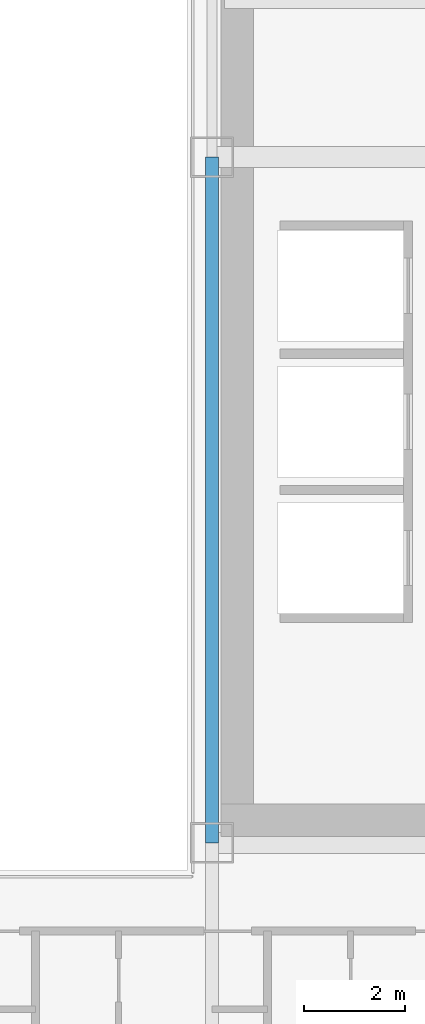
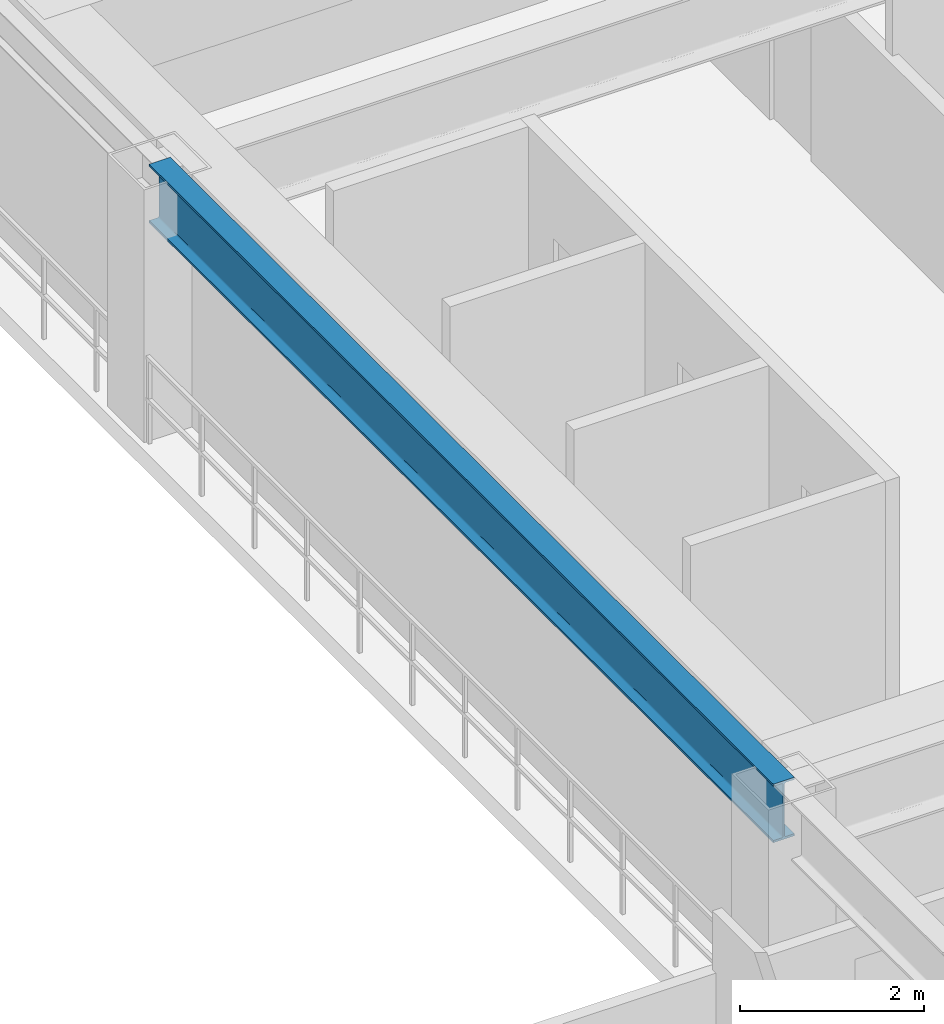
# One storey, part 12 of 36: 1 beam.
"""IFC4 building model written with IfcOpenShell, lengths in metres."""

from ifc_helpers import new_model, si_unit, direction, frame, origin, origin_2d, place, context, subcontext, project, spatial, i_section, extrude, source, transform, mapped, material, material_profile, profile_set, type_object, element, save


model = new_model("IFC4")

# Units and contexts
model_context = context("Model", 3, precision=1e-05, world=origin(), true_north=direction((0.0, 1.0)))
body_context = subcontext(model_context, "Body", "Model", "MODEL_VIEW")
ifc_project = project(units=[si_unit("LENGTHUNIT", "METRE"), si_unit("AREAUNIT", "SQUARE_METRE"), si_unit("VOLUMEUNIT", "CUBIC_METRE"), si_unit("PLANEANGLEUNIT", "RADIAN"), si_unit("MASSUNIT", "GRAM", prefix="KILO")], contexts=[model_context])

# Site, building, storey
site_placement = place(None, origin())
site = spatial("IfcSite", under=ifc_project, at=site_placement, CompositionType="ELEMENT")
building_placement = place(site_placement, origin())
building = spatial("IfcBuilding", under=site, at=building_placement, Name="Ocotamira Hotel", CompositionType="ELEMENT")
storey_placement = place(building_placement, frame((0.0, 0.0, 97.199951171875)))
storey = spatial("IfcBuildingStorey", under=building, at=storey_placement, Name="L23", CompositionType="ELEMENT", Elevation=97.199951171875)

# Beam
ifc_material = material(Name="Steel ASTM A992 Grade 50", Category="steel")
ifc_material_profile = material_profile(ifc_material, i_section(OverallWidth=0.26611328125, OverallDepth=0.779052734375, WebThickness=0.0166015625, FlangeThickness=0.030029296875, FilletRadius=0.01806640625, at=origin_2d()), Name="W30X148")
ifc_profile_set = profile_set([ifc_material_profile], Name="Steel ASTM A992 Grade 50")
beam_type = type_object("IfcBeamType", Name="BM-GIRD-W30X148", PredefinedType="BEAM", material=ifc_profile_set)
shared_shape = source(origin(), body_context, "Body", "SweptSolid", [
    extrude(i_section(OverallWidth=0.26611328125, OverallDepth=0.779052734375, WebThickness=0.0166015625, FlangeThickness=0.030029296875, FilletRadius=0.01806640625, at=origin_2d()), origin(), (0.0, 0.0, 1.0), 13.599853515625),
])
beam_placement = place(storey_placement, frame((40.5, 14.550048828125, 2.970458984375), z_axis=(0.0, 1.0, 0.0), x_axis=(-1.0, 0.0, 0.0)))
element("IfcBeam", 1, at=beam_placement, inside=storey, type_object=beam_type, Name="L23 Beam X40.5 Y14.55-28.15", PredefinedType="BEAM", context=body_context, shape_type="MappedRepresentation", body=[
    mapped(shared_shape, transform((0.0, 0.0, 0.0), scale=1.0)),
])

save(model, "model.ifc")
